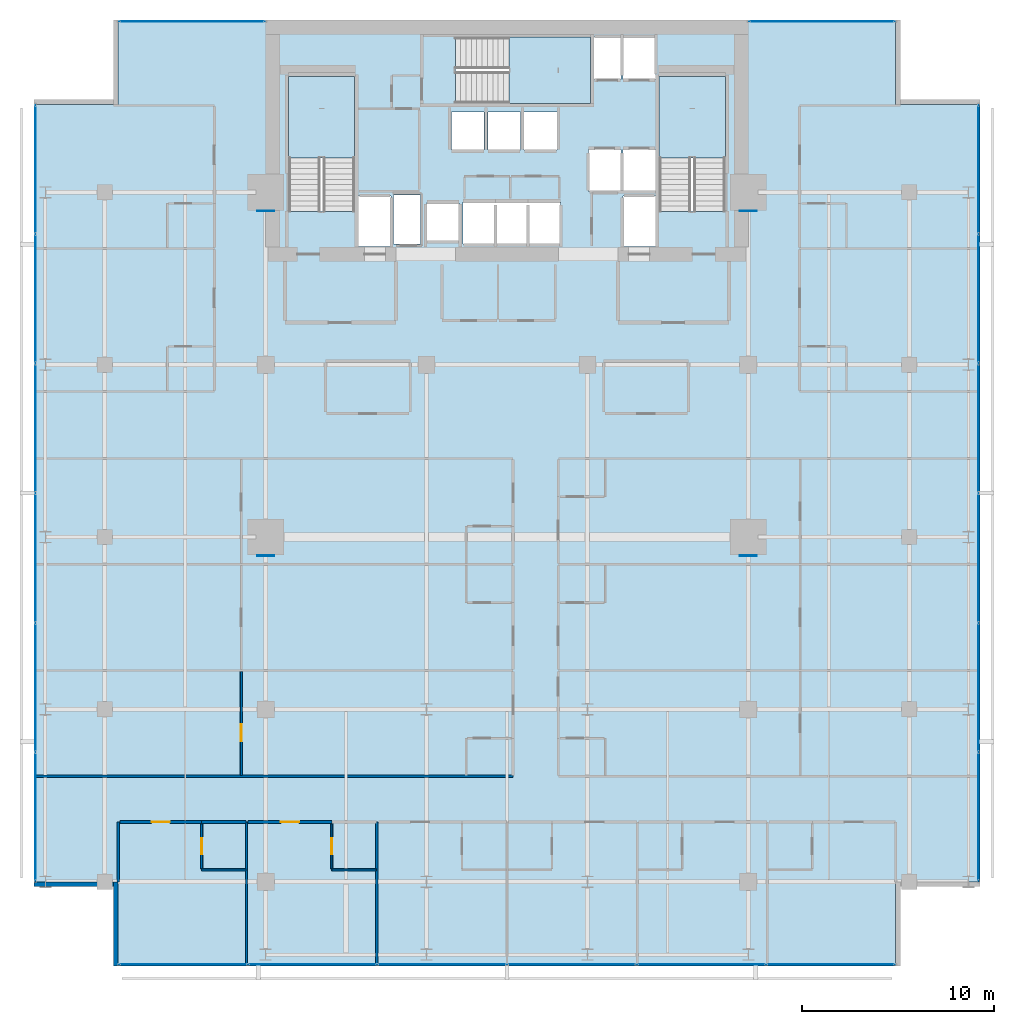
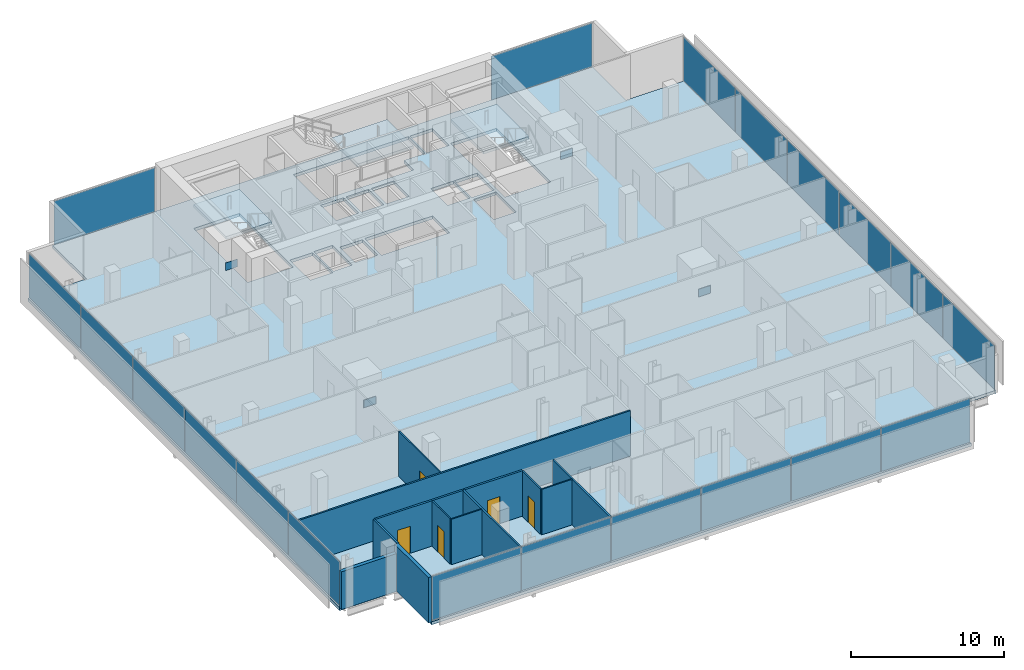
# One storey, part 26 of 33: 24 plates, 14 walls, 5 doors, 4 slabs, 5 openings, 8 elements without a shape of their own.
"""IFC4 building model written with IfcOpenShell, lengths in metres."""

import ifcopenshell
import ifcopenshell.guid

model = None  # the IFC model being written
_history = None  # IfcOwnerHistory: only IFC2X3 demands one
_inside = {}  # id of a spatial element -> (the spatial element, [elements in it])
_under = {}  # id of a project, library or spatial element -> (it, [spatial elements below it])
_declared = {}  # id of a project -> (the project, [libraries it declares])
_typed = {}  # id of a type object -> (the type object, [elements of that type])
_made_of = {}  # id of a material, layer set ... -> (it, [elements and type objects made of it])


def new_model(schema):
    """Start an empty IFC model of exactly this schema.

    Asked for "IFC4X3", IfcOpenShell would pick the latest addendum, in which some entities
    have other attributes; the version numbers below select the first issue.
    IFC2X3 requires an IfcOwnerHistory on every rooted entity: one is made here for all.
    """
    global model, _history
    if schema == "IFC4X3":
        model = ifcopenshell.file(schema_version=(4, 3, 0, 0))
    else:
        model = ifcopenshell.file(schema=schema)
    _inside.clear()
    _under.clear()
    _declared.clear()
    _typed.clear()
    _made_of.clear()
    _history = None
    if model.schema == "IFC2X3":
        org = make("IfcOrganization", Name="unknown")
        user = make(
            "IfcPersonAndOrganization",
            ThePerson=make("IfcPerson", FamilyName="unknown"),
            TheOrganization=org,
        )
        app = make(
            "IfcApplication",
            ApplicationDeveloper=org,
            Version="unknown",
            ApplicationFullName="unknown",
            ApplicationIdentifier="unknown",
        )
        _history = make(
            "IfcOwnerHistory",
            OwningUser=user,
            OwningApplication=app,
            ChangeAction="ADDED",
            CreationDate=0,
        )
    return model


def make(cls, **values):
    """One entity of the class cls with the attributes given. An attribute that is None is left unset."""
    return model.create_entity(
        cls, **{name: value for name, value in values.items() if value is not None}
    )


def rooted(cls, **values):
    """An entity with a GlobalId (a new one), such as an element, a storey or a relation."""
    return make(cls, GlobalId=ifcopenshell.guid.new(), OwnerHistory=_history, **values)


def si_unit(unit_type, name, prefix=None):
    """IfcSIUnit, for example si_unit("LENGTHUNIT", "METRE", prefix="MILLI")."""
    return make("IfcSIUnit", UnitType=unit_type, Prefix=prefix, Name=name)


def assignment(units):
    """IfcUnitAssignment: the units of a project."""
    return None if units is None else make("IfcUnitAssignment", Units=units)


def point(xyz):
    """IfcCartesianPoint."""
    return None if xyz is None else make("IfcCartesianPoint", Coordinates=xyz)


def direction(xyz):
    """IfcDirection."""
    return None if xyz is None else make("IfcDirection", DirectionRatios=xyz)


def frame(location, z_axis=None, x_axis=None):
    """IfcAxis2Placement3D, a coordinate frame: its origin and axes. An axis left out is left unset."""
    return make(
        "IfcAxis2Placement3D",
        Location=point(location),
        Axis=direction(z_axis),
        RefDirection=direction(x_axis),
    )


def frame_2d(location, x_axis=None):
    """IfcAxis2Placement2D, a coordinate frame in the plane: its origin and x axis."""
    return make(
        "IfcAxis2Placement2D", Location=point(location), RefDirection=direction(x_axis)
    )


def origin():
    """The frame at (0, 0, 0) with its axes left unset."""
    return frame((0.0, 0.0, 0.0))


def origin_2d():
    """The frame at (0, 0) in the plane with its x axis left unset."""
    return frame_2d((0.0, 0.0))


def place(relative_to, where):
    """IfcLocalPlacement: puts the frame where relative to a parent placement (None: the world)."""
    return make(
        "IfcLocalPlacement", PlacementRelTo=relative_to, RelativePlacement=where
    )


def context(
    kind, dimensions, precision=None, world=None, true_north=None, identifier=None
):
    """IfcGeometricRepresentationContext, for example the 3D "Model" context."""
    return make(
        "IfcGeometricRepresentationContext",
        ContextIdentifier=identifier,
        ContextType=kind,
        CoordinateSpaceDimension=dimensions,
        Precision=precision,
        WorldCoordinateSystem=world,
        TrueNorth=true_north,
    )


def subcontext(parent, identifier, kind, view, scale=None):
    """IfcGeometricRepresentationSubContext, for example "Body" below "Model"."""
    return make(
        "IfcGeometricRepresentationSubContext",
        ContextIdentifier=identifier,
        ContextType=kind,
        ParentContext=parent,
        TargetScale=scale,
        TargetView=view,
    )


def project(units=None, contexts=None):
    """IfcProject with its units and contexts."""
    return rooted(
        "IfcProject",
        Name="project",
        RepresentationContexts=contexts,
        UnitsInContext=assignment(units),
    )


def spatial(cls, under=None, at=None, **own):
    """A site, building, storey or space (cls), placed at a placement, below another one or the project."""
    s = rooted(cls, ObjectPlacement=at, **own)
    if under is not None:
        _under.setdefault(under.id(), (under, []))[1].append(s)
    return s


def polyline(points):
    """IfcPolyline through the points."""
    return make("IfcPolyline", Points=[point(p) for p in points])


def profile(cls, at=None, kind="AREA", **sizes):
    """A parametric profile (cls). Its sizes go by their IFC names, for example OverallWidth=200.0."""
    return make(cls, ProfileType=kind, Position=at, **sizes)


def rectangle(**sizes):
    """IfcRectangleProfileDef."""
    return profile("IfcRectangleProfileDef", **sizes)


def outline(outer, holes=None, kind="AREA"):
    """IfcArbitraryClosedProfileDef: a profile drawn as a closed curve; with holes, ...WithVoids."""
    if holes is None:
        return make("IfcArbitraryClosedProfileDef", ProfileType=kind, OuterCurve=outer)
    return make(
        "IfcArbitraryProfileDefWithVoids",
        ProfileType=kind,
        OuterCurve=outer,
        InnerCurves=holes,
    )


def extrude(swept, where, along, depth):
    """IfcExtrudedAreaSolid: the profile swept, set in the frame where, extruded along a direction by depth."""
    return make(
        "IfcExtrudedAreaSolid",
        SweptArea=swept,
        Position=where,
        ExtrudedDirection=direction(along),
        Depth=depth,
    )


def shape(context_of_items, identifier, shape_type, items):
    """IfcShapeRepresentation: the items that make up one representation, for example the "Body"."""
    return make(
        "IfcShapeRepresentation",
        ContextOfItems=context_of_items,
        RepresentationIdentifier=identifier,
        RepresentationType=shape_type,
        Items=items,
    )


def material(Name=None, Category=None):
    """IfcMaterial."""
    return make("IfcMaterial", Name=Name, Category=Category)


def layer(
    of_material, thickness, ventilated=None, Name=None, Category=None, Priority=None
):
    """IfcMaterialLayer: one layer of a wall or slab, of a material (None: an air gap)."""
    return make(
        "IfcMaterialLayer",
        Material=of_material,
        LayerThickness=thickness,
        IsVentilated=ventilated,
        Name=Name,
        Category=Category,
        Priority=Priority,
    )


def layer_set(layers, Name=None):
    """IfcMaterialLayerSet."""
    return make("IfcMaterialLayerSet", MaterialLayers=layers, LayerSetName=Name)


def made_of(thing, what):
    """Note that an element or type object is made of a material, layer set ...; save() writes the relation."""
    if what is not None:
        _made_of.setdefault(what.id(), (what, []))[1].append(thing)
    return thing


def type_object(cls, material=None, **own):
    """A type object (cls), such as IfcWallType, which elements share."""
    return made_of(rooted(cls, **own), material)


def element(
    cls,
    number,
    at=None,
    inside=None,
    cuts=None,
    type_object=None,
    material=None,
    context=None,
    identifier="Body",
    shape_type=None,
    held_by="IfcProductDefinitionShape",
    body=None,
    shapes=None,
    **own,
):
    """One element of the class cls, such as IfcWall. Its Tag is "e" and its number.

    at: its placement. inside: the storey or other place that contains it. cuts: it is an
    opening in that element (IfcRelVoidsElement). A single representation is given by context,
    identifier, shape_type and body (its items); several are given by shapes. held_by: the class
    of the entity that holds the representations. save() writes the other relations.
    """
    e = rooted(cls, Tag="e%d" % number, ObjectPlacement=at, **own)
    if body is not None:
        shapes = [shape(context, identifier, shape_type, body)]
    if shapes is not None:
        e.Representation = make(held_by, Representations=shapes)
    if inside is not None:
        _inside.setdefault(inside.id(), (inside, []))[1].append(e)
    if cuts is not None:
        rooted(
            "IfcRelVoidsElement", RelatingBuildingElement=cuts, RelatedOpeningElement=e
        )
    if type_object is not None:
        _typed.setdefault(type_object.id(), (type_object, []))[1].append(e)
    return made_of(e, material)


def fill(opening, filler):
    """IfcRelFillsElement: the door or window that sits in an opening."""
    return rooted(
        "IfcRelFillsElement",
        RelatingOpeningElement=opening,
        RelatedBuildingElement=filler,
    )


def aggregate(whole, parts):
    """IfcRelAggregates: a whole, such as a stair, and the parts it consists of."""
    return rooted("IfcRelAggregates", RelatingObject=whole, RelatedObjects=parts)


def save(model, path):
    """Write the relations noted so far, then the file.

    IfcRelAggregates (storeys below a building ...), IfcRelContainedInSpatialStructure (elements
    in a storey), IfcRelDefinesByType, IfcRelAssociatesMaterial and IfcRelDeclares: one each for
    every whole, place, type object, material and project.
    """
    for whole, parts in _under.values():
        aggregate(whole, parts)
    for where, things in _inside.values():
        rooted(
            "IfcRelContainedInSpatialStructure",
            RelatedElements=things,
            RelatingStructure=where,
        )
    for kind, things in _typed.values():
        rooted("IfcRelDefinesByType", RelatedObjects=things, RelatingType=kind)
    for what, things in _made_of.values():
        rooted("IfcRelAssociatesMaterial", RelatedObjects=things, RelatingMaterial=what)
    for by, libraries in _declared.values():
        rooted("IfcRelDeclares", RelatingContext=by, RelatedDefinitions=libraries)
    model.write(path)


model = new_model("IFC4")

# Units and contexts
model_context = context("Model", 3, precision=1e-05, world=origin(), true_north=direction((0.0, 1.0)))
body_context = subcontext(model_context, "Body", "Model", "MODEL_VIEW")
ifc_project = project(units=[si_unit("LENGTHUNIT", "METRE"), si_unit("AREAUNIT", "SQUARE_METRE"), si_unit("VOLUMEUNIT", "CUBIC_METRE"), si_unit("PLANEANGLEUNIT", "RADIAN"), si_unit("MASSUNIT", "GRAM", prefix="KILO")], contexts=[model_context])

# Site, building, storey
site_placement = place(None, origin())
site = spatial("IfcSite", under=ifc_project, at=site_placement, CompositionType="ELEMENT")
building_placement = place(site_placement, origin())
building = spatial("IfcBuilding", under=site, at=building_placement, Name="Maruvema Waterfront Hotel and Observation Tower", CompositionType="ELEMENT")
storey_placement = place(building_placement, frame((0.0, 0.0, 158.199951171875)))
storey = spatial("IfcBuildingStorey", under=building, at=storey_placement, Name="L38", CompositionType="ELEMENT", Elevation=158.199951171875)

# Slab
ifc_material_1 = material(Name="Concrete C50/60", Category="concrete")
ifc_layer_1 = layer(ifc_material_1, 0.239990234375, Name="Reinforced Concrete Floor Slab 240 mm")
ifc_layer_set_1 = layer_set([ifc_layer_1], Name="Concrete C50/60")
slab_type_1 = type_object("IfcSlabType", Name="Reinforced Concrete Floor Slab 240 mm", PredefinedType="FLOOR", material=ifc_layer_set_1)
slab_1_placement = place(storey_placement, frame((0.0, 0.0, -0.239990234375)))
element("IfcSlab", 1, at=slab_1_placement, inside=storey, type_object=slab_type_1, Name="L38 Structural Floor Slab", PredefinedType="FLOOR", context=body_context, shape_type="SweptSolid", body=[
    extrude(outline(polyline([(17.5, 4.60009765625), (58.10009765625, 4.60009765625), (58.10009765625, 9.0), (62.5, 9.0), (62.5, 49.60009765625), (58.10009765625, 49.60009765625), (58.10009765625, 54.0), (17.5, 54.0), (17.5, 49.60009765625), (13.10009765625, 49.60009765625), (13.10009765625, 9.0), (17.5, 9.0), (17.5, 4.60009765625)]), holes=[polyline([(26.39990234375, 44.00048828125), (26.39990234375, 51.050048828125), (29.85009765625, 51.050048828125), (29.85009765625, 44.00048828125), (26.39990234375, 44.00048828125)]), polyline([(30.050048828125, 44.800048828125), (31.75, 44.800048828125), (31.75, 42.169921875), (30.050048828125, 42.169921875), (30.050048828125, 44.800048828125)]), polyline([(31.8798828125, 44.860107421875), (33.280029296875, 44.860107421875), (33.280029296875, 42.2900390625), (31.8798828125, 42.2900390625), (31.8798828125, 44.860107421875)]), polyline([(33.60009765625, 44.449951171875), (35.300048828125, 44.449951171875), (35.300048828125, 42.449951171875), (33.60009765625, 42.449951171875), (33.60009765625, 44.449951171875)]), polyline([(34.89990234375, 49.199951171875), (36.60009765625, 49.199951171875), (36.60009765625, 47.199951171875), (34.89990234375, 47.199951171875), (34.89990234375, 49.199951171875)]), polyline([(36.800048828125, 49.199951171875), (38.5, 49.199951171875), (38.5, 47.199951171875), (36.800048828125, 47.199951171875), (36.800048828125, 49.199951171875)]), polyline([(35.5, 42.300048828125), (35.5, 44.5), (40.60009765625, 44.5), (40.60009765625, 42.300048828125), (35.5, 42.300048828125)]), polyline([(35.1005859375, 53.10009765625), (43.75, 53.10009765625), (43.75, 50.89990234375), (42.14990234375, 50.89990234375), (42.14990234375, 49.64990234375), (35.1005859375, 49.64990234375), (35.1005859375, 53.10009765625)]), polyline([(38.699951171875, 49.199951171875), (40.39990234375, 49.199951171875), (40.39990234375, 47.199951171875), (38.699951171875, 47.199951171875), (38.699951171875, 49.199951171875)]), polyline([(42.050048828125, 47.25), (43.75, 47.25), (43.75, 45.050048828125), (42.050048828125, 45.050048828125), (42.050048828125, 47.25)]), polyline([(43.85009765625, 44.800048828125), (45.550048828125, 44.800048828125), (45.550048828125, 42.169921875), (43.85009765625, 42.169921875), (43.85009765625, 44.800048828125)]), polyline([(43.85009765625, 47.25), (45.550048828125, 47.25), (45.550048828125, 45.050048828125), (43.85009765625, 45.050048828125), (43.85009765625, 47.25)]), polyline([(45.550048828125, 53.10009765625), (45.550048828125, 50.89990234375), (43.85009765625, 50.89990234375), (43.85009765625, 53.10009765625), (45.550048828125, 53.10009765625)]), polyline([(45.75, 44.00048828125), (45.75, 51.050048828125), (49.199951171875, 51.050048828125), (49.199951171875, 44.00048828125), (45.75, 44.00048828125)])]), origin(), (0.0, 0.0, 1.0), 0.239990234375),
])

# Curtain wall, plates
ifc_material_2 = material(Name="Anodised bronze aluminium and solar-control low-E IGU", Category="aluminium")
ifc_layer_2 = layer(ifc_material_2, 0.159912109375, Name="Zone 2 Amber Inner Thermal Curtain Wall System CW-03")
ifc_layer_set_2 = layer_set([ifc_layer_2], Name="Anodised bronze aluminium and solar-control low-E IGU")
curtain_wall_type = type_object("IfcCurtainWallType", Name="Zone 2 Amber Inner Thermal Curtain Wall System CW-03", PredefinedType="USERDEFINED", material=ifc_layer_set_2)
curtain_wall_1_placement = place(storey_placement, origin())
curtain_wall_1 = element("IfcCurtainWall", 2, at=curtain_wall_1_placement, inside=storey, type_object=curtain_wall_type, Name="L38 Curtain Wall CW-L38-S", ObjectType="UNITISED CURTAIN WALL", PredefinedType="USERDEFINED")
ifc_material_3 = material(Name="Laminated low-E solar-control double glazing", Category="glass")
ifc_layer_3 = layer(ifc_material_3, 0.035888671875, Name="Solar Control Double-Glazed Curtain Panel 36 mm")
ifc_layer_set_3 = layer_set([ifc_layer_3], Name="Laminated low-E solar-control double glazing")
plate_type_1 = type_object("IfcPlateType", Name="Solar Control Double-Glazed Curtain Panel 36 mm", PredefinedType="CURTAIN_PANEL", material=ifc_layer_set_3)
plate_1_placement = place(storey_placement, frame((20.8984375, 4.679931640625, 0.06005859375), z_axis=(0.0, 0.0, 1.0), x_axis=(1.0, 0.0, 0.0)))
plate_1 = element("IfcPlate", 3, at=plate_1_placement, type_object=plate_type_1, Name="CW-03 panel 1.1", PredefinedType="CURTAIN_PANEL", context=body_context, shape_type="SweptSolid", body=[
    extrude(rectangle(XDim=6.6767578125, YDim=0.028076171875, at=origin_2d()), origin(), (0.0, 0.0, 1.0), 3.489990234375),
])
plate_2_placement = place(storey_placement, frame((27.64990234375, 4.679931640625, 0.06005859375), z_axis=(0.0, 0.0, 1.0), x_axis=(1.0, 0.0, 0.0)))
plate_2 = element("IfcPlate", 4, at=plate_2_placement, type_object=plate_type_1, Name="CW-03 panel 2.1", PredefinedType="CURTAIN_PANEL", context=body_context, shape_type="SweptSolid", body=[
    extrude(rectangle(XDim=6.706787109375, YDim=0.028076171875, at=origin_2d()), origin(), (0.0, 0.0, 1.0), 3.489990234375),
])
plate_3_placement = place(storey_placement, frame((34.416748046875, 4.679931640625, 0.06005859375), z_axis=(0.0, 0.0, 1.0), x_axis=(1.0, 0.0, 0.0)))
plate_3 = element("IfcPlate", 5, at=plate_3_placement, type_object=plate_type_1, Name="CW-03 panel 3.1", PredefinedType="CURTAIN_PANEL", context=body_context, shape_type="SweptSolid", body=[
    extrude(rectangle(XDim=6.706787109375, YDim=0.028076171875, at=origin_2d()), origin(), (0.0, 0.0, 1.0), 3.489990234375),
])
plate_4_placement = place(storey_placement, frame((41.183349609375, 4.679931640625, 0.06005859375), z_axis=(0.0, 0.0, 1.0), x_axis=(1.0, 0.0, 0.0)))
plate_4 = element("IfcPlate", 6, at=plate_4_placement, type_object=plate_type_1, Name="CW-03 panel 4.1", PredefinedType="CURTAIN_PANEL", context=body_context, shape_type="SweptSolid", body=[
    extrude(rectangle(XDim=6.706787109375, YDim=0.028076171875, at=origin_2d()), origin(), (0.0, 0.0, 1.0), 3.489990234375),
])
plate_5_placement = place(storey_placement, frame((47.949951171875, 4.679931640625, 0.06005859375), z_axis=(0.0, 0.0, 1.0), x_axis=(1.0, 0.0, 0.0)))
plate_5 = element("IfcPlate", 7, at=plate_5_placement, type_object=plate_type_1, Name="CW-03 panel 5.1", PredefinedType="CURTAIN_PANEL", context=body_context, shape_type="SweptSolid", body=[
    extrude(rectangle(XDim=6.706787109375, YDim=0.028076171875, at=origin_2d()), origin(), (0.0, 0.0, 1.0), 3.489990234375),
])
plate_6_placement = place(storey_placement, frame((54.70166015625, 4.679931640625, 0.06005859375), z_axis=(0.0, 0.0, 1.0), x_axis=(1.0, 0.0, 0.0)))
plate_6 = element("IfcPlate", 8, at=plate_6_placement, type_object=plate_type_1, Name="CW-03 panel 6.1", PredefinedType="CURTAIN_PANEL", context=body_context, shape_type="SweptSolid", body=[
    extrude(rectangle(XDim=6.6767578125, YDim=0.028076171875, at=origin_2d()), origin(), (0.0, 0.0, 1.0), 3.489990234375),
])
aggregate(curtain_wall_1, [plate_1, plate_2, plate_3, plate_4, plate_5, plate_6])

curtain_wall_2_placement = place(storey_placement, origin())
curtain_wall_2 = element("IfcCurtainWall", 9, at=curtain_wall_2_placement, inside=storey, type_object=curtain_wall_type, Name="L38 Curtain Wall CW-L38-E", ObjectType="UNITISED CURTAIN WALL", PredefinedType="USERDEFINED")
plate_7_placement = place(storey_placement, frame((62.419921875, 12.3984375, 0.06005859375), z_axis=(0.0, 0.0, 1.0), x_axis=(0.0, 1.0, 0.0)))
plate_7 = element("IfcPlate", 10, at=plate_7_placement, type_object=plate_type_1, Name="CW-03 panel 1.1", PredefinedType="CURTAIN_PANEL", context=body_context, shape_type="SweptSolid", body=[
    extrude(rectangle(XDim=6.6767578125, YDim=0.028076171875, at=origin_2d()), origin(), (0.0, 0.0, 1.0), 3.489990234375),
])
plate_8_placement = place(storey_placement, frame((62.419921875, 19.14990234375, 0.06005859375), z_axis=(0.0, 0.0, 1.0), x_axis=(0.0, 1.0, 0.0)))
plate_8 = element("IfcPlate", 11, at=plate_8_placement, type_object=plate_type_1, Name="CW-03 panel 2.1", PredefinedType="CURTAIN_PANEL", context=body_context, shape_type="SweptSolid", body=[
    extrude(rectangle(XDim=6.706787109375, YDim=0.028076171875, at=origin_2d()), origin(), (0.0, 0.0, 1.0), 3.489990234375),
])
plate_9_placement = place(storey_placement, frame((62.419921875, 25.916748046875, 0.06005859375), z_axis=(0.0, 0.0, 1.0), x_axis=(0.0, 1.0, 0.0)))
plate_9 = element("IfcPlate", 12, at=plate_9_placement, type_object=plate_type_1, Name="CW-03 panel 3.1", PredefinedType="CURTAIN_PANEL", context=body_context, shape_type="SweptSolid", body=[
    extrude(rectangle(XDim=6.706787109375, YDim=0.028076171875, at=origin_2d()), origin(), (0.0, 0.0, 1.0), 3.489990234375),
])
plate_10_placement = place(storey_placement, frame((62.419921875, 32.683349609375, 0.06005859375), z_axis=(0.0, 0.0, 1.0), x_axis=(0.0, 1.0, 0.0)))
plate_10 = element("IfcPlate", 13, at=plate_10_placement, type_object=plate_type_1, Name="CW-03 panel 4.1", PredefinedType="CURTAIN_PANEL", context=body_context, shape_type="SweptSolid", body=[
    extrude(rectangle(XDim=6.706787109375, YDim=0.028076171875, at=origin_2d()), origin(), (0.0, 0.0, 1.0), 3.489990234375),
])
plate_11_placement = place(storey_placement, frame((62.419921875, 39.449951171875, 0.06005859375), z_axis=(0.0, 0.0, 1.0), x_axis=(0.0, 1.0, 0.0)))
plate_11 = element("IfcPlate", 14, at=plate_11_placement, type_object=plate_type_1, Name="CW-03 panel 5.1", PredefinedType="CURTAIN_PANEL", context=body_context, shape_type="SweptSolid", body=[
    extrude(rectangle(XDim=6.706787109375, YDim=0.028076171875, at=origin_2d()), origin(), (0.0, 0.0, 1.0), 3.489990234375),
])
plate_12_placement = place(storey_placement, frame((62.419921875, 46.20166015625, 0.06005859375), z_axis=(0.0, 0.0, 1.0), x_axis=(0.0, 1.0, 0.0)))
plate_12 = element("IfcPlate", 15, at=plate_12_placement, type_object=plate_type_1, Name="CW-03 panel 6.1", PredefinedType="CURTAIN_PANEL", context=body_context, shape_type="SweptSolid", body=[
    extrude(rectangle(XDim=6.6767578125, YDim=0.028076171875, at=origin_2d()), origin(), (0.0, 0.0, 1.0), 3.489990234375),
])
aggregate(curtain_wall_2, [plate_7, plate_8, plate_9, plate_10, plate_11, plate_12])

curtain_wall_3_placement = place(storey_placement, origin())
curtain_wall_3 = element("IfcCurtainWall", 16, at=curtain_wall_3_placement, inside=storey, type_object=curtain_wall_type, Name="L38 Curtain Wall CW-L38-W", ObjectType="UNITISED CURTAIN WALL", PredefinedType="USERDEFINED")
plate_13_placement = place(storey_placement, frame((13.179931640625, 46.20166015625, 0.06005859375), z_axis=(0.0, 0.0, 1.0), x_axis=(0.0, -1.0, 0.0)))
plate_13 = element("IfcPlate", 17, at=plate_13_placement, type_object=plate_type_1, Name="CW-03 panel 1.1", PredefinedType="CURTAIN_PANEL", context=body_context, shape_type="SweptSolid", body=[
    extrude(rectangle(XDim=6.6767578125, YDim=0.028076171875, at=origin_2d()), origin(), (0.0, 0.0, 1.0), 3.489990234375),
])
plate_14_placement = place(storey_placement, frame((13.179931640625, 39.449951171875, 0.06005859375), z_axis=(0.0, 0.0, 1.0), x_axis=(0.0, -1.0, 0.0)))
plate_14 = element("IfcPlate", 18, at=plate_14_placement, type_object=plate_type_1, Name="CW-03 panel 2.1", PredefinedType="CURTAIN_PANEL", context=body_context, shape_type="SweptSolid", body=[
    extrude(rectangle(XDim=6.706787109375, YDim=0.028076171875, at=origin_2d()), origin(), (0.0, 0.0, 1.0), 3.489990234375),
])
plate_15_placement = place(storey_placement, frame((13.179931640625, 32.683349609375, 0.06005859375), z_axis=(0.0, 0.0, 1.0), x_axis=(0.0, -1.0, 0.0)))
plate_15 = element("IfcPlate", 19, at=plate_15_placement, type_object=plate_type_1, Name="CW-03 panel 3.1", PredefinedType="CURTAIN_PANEL", context=body_context, shape_type="SweptSolid", body=[
    extrude(rectangle(XDim=6.706787109375, YDim=0.028076171875, at=origin_2d()), origin(), (0.0, 0.0, 1.0), 3.489990234375),
])
plate_16_placement = place(storey_placement, frame((13.179931640625, 25.916748046875, 0.06005859375), z_axis=(0.0, 0.0, 1.0), x_axis=(0.0, -1.0, 0.0)))
plate_16 = element("IfcPlate", 20, at=plate_16_placement, type_object=plate_type_1, Name="CW-03 panel 4.1", PredefinedType="CURTAIN_PANEL", context=body_context, shape_type="SweptSolid", body=[
    extrude(rectangle(XDim=6.706787109375, YDim=0.028076171875, at=origin_2d()), origin(), (0.0, 0.0, 1.0), 3.489990234375),
])
plate_17_placement = place(storey_placement, frame((13.179931640625, 19.14990234375, 0.06005859375), z_axis=(0.0, 0.0, 1.0), x_axis=(0.0, -1.0, 0.0)))
plate_17 = element("IfcPlate", 21, at=plate_17_placement, type_object=plate_type_1, Name="CW-03 panel 5.1", PredefinedType="CURTAIN_PANEL", context=body_context, shape_type="SweptSolid", body=[
    extrude(rectangle(XDim=6.706787109375, YDim=0.028076171875, at=origin_2d()), origin(), (0.0, 0.0, 1.0), 3.489990234375),
])
plate_18_placement = place(storey_placement, frame((13.179931640625, 12.3984375, 0.06005859375), z_axis=(0.0, 0.0, 1.0), x_axis=(0.0, -1.0, 0.0)))
plate_18 = element("IfcPlate", 22, at=plate_18_placement, type_object=plate_type_1, Name="CW-03 panel 6.1", PredefinedType="CURTAIN_PANEL", context=body_context, shape_type="SweptSolid", body=[
    extrude(rectangle(XDim=6.6767578125, YDim=0.028076171875, at=origin_2d()), origin(), (0.0, 0.0, 1.0), 3.489990234375),
])
aggregate(curtain_wall_3, [plate_13, plate_14, plate_15, plate_16, plate_17, plate_18])

# Curtain wall, plate
curtain_wall_4_placement = place(storey_placement, origin())
curtain_wall_4 = element("IfcCurtainWall", 23, at=curtain_wall_4_placement, inside=storey, type_object=curtain_wall_type, Name="L38 Curtain Wall CW-L38-NW", ObjectType="UNITISED CURTAIN WALL", PredefinedType="USERDEFINED")
plate_19_placement = place(storey_placement, frame((21.35009765625, 53.919921875, 0.06005859375), z_axis=(0.0, 0.0, 1.0), x_axis=(-1.0, 0.0, 0.0)))
plate_19 = element("IfcPlate", 24, at=plate_19_placement, type_object=plate_type_1, Name="CW-03 panel 1.1", PredefinedType="CURTAIN_PANEL", context=body_context, shape_type="SweptSolid", body=[
    extrude(rectangle(XDim=7.580078125, YDim=0.028076171875, at=origin_2d()), origin(), (0.0, 0.0, 1.0), 3.489990234375),
])
aggregate(curtain_wall_4, [plate_19])

curtain_wall_5_placement = place(storey_placement, origin())
curtain_wall_5 = element("IfcCurtainWall", 25, at=curtain_wall_5_placement, inside=storey, type_object=curtain_wall_type, Name="L38 Curtain Wall CW-L38-NE", ObjectType="UNITISED CURTAIN WALL", PredefinedType="USERDEFINED")
plate_20_placement = place(storey_placement, frame((54.25, 53.919921875, 0.06005859375), z_axis=(0.0, 0.0, 1.0), x_axis=(-1.0, 0.0, 0.0)))
plate_20 = element("IfcPlate", 26, at=plate_20_placement, type_object=plate_type_1, Name="CW-03 panel 1.1", PredefinedType="CURTAIN_PANEL", context=body_context, shape_type="SweptSolid", body=[
    extrude(rectangle(XDim=7.580078125, YDim=0.028076171875, at=origin_2d()), origin(), (0.0, 0.0, 1.0), 3.489990234375),
])
aggregate(curtain_wall_5, [plate_20])

# Stair, slab
ifc_material_4 = material(Name="Concrete C50/60", Category="concrete")
stair_type = type_object("IfcStairType", Name="Dogleg Exit Stair 1650 mm (22R x 175.0 mm)", PredefinedType="HALF_TURN_STAIR", material=ifc_material_4)
stair_1_placement = place(storey_placement, origin())
stair_1 = element("IfcStair", 27, at=stair_1_placement, inside=storey, type_object=stair_type, Name="L38 ST-01", PredefinedType="HALF_TURN_STAIR")
ifc_material_5 = material(Name="Concrete C50/60", Category="concrete")
ifc_layer_4 = layer(ifc_material_5, 0.219970703125, Name="Stair Concrete Landing Slab 220 mm")
ifc_layer_set_4 = layer_set([ifc_layer_4], Name="Concrete C50/60")
slab_type_2 = type_object("IfcSlabType", Name="Stair Concrete Landing Slab 220 mm", PredefinedType="LANDING", material=ifc_layer_set_4)
slab_2_placement = place(storey_placement, frame((0.0, 0.0, 1.705078125)))
slab_2 = element("IfcSlab", 28, at=slab_2_placement, type_object=slab_type_2, Name="ST-01 landing 1", PredefinedType="LANDING", context=body_context, shape_type="SweptSolid", body=[
    extrude(outline(polyline([(29.85009765625, 46.800048828125), (29.85009765625, 51.050048828125), (26.39990234375, 51.050048828125), (26.39990234375, 46.800048828125), (29.85009765625, 46.800048828125)])), origin(), (0.0, 0.0, 1.0), 0.219970703125),
])
aggregate(stair_1, [slab_2])

stair_2_placement = place(storey_placement, origin())
stair_2 = element("IfcStair", 29, at=stair_2_placement, inside=storey, type_object=stair_type, Name="L38 ST-02", PredefinedType="HALF_TURN_STAIR")
slab_3_placement = place(storey_placement, frame((0.0, 0.0, 1.705078125)))
slab_3 = element("IfcSlab", 30, at=slab_3_placement, type_object=slab_type_2, Name="ST-02 landing 1", PredefinedType="LANDING", context=body_context, shape_type="SweptSolid", body=[
    extrude(outline(polyline([(37.89990234375, 49.64990234375), (42.14990234375, 49.64990234375), (42.14990234375, 53.10009765625), (37.89990234375, 53.10009765625), (37.89990234375, 49.64990234375)])), origin(), (0.0, 0.0, 1.0), 0.219970703125),
])
aggregate(stair_2, [slab_3])

stair_3_placement = place(storey_placement, origin())
stair_3 = element("IfcStair", 31, at=stair_3_placement, inside=storey, type_object=stair_type, Name="L38 ST-03", PredefinedType="HALF_TURN_STAIR")
slab_4_placement = place(storey_placement, frame((0.0, 0.0, 1.705078125)))
slab_4 = element("IfcSlab", 32, at=slab_4_placement, type_object=slab_type_2, Name="ST-03 landing 1", PredefinedType="LANDING", context=body_context, shape_type="SweptSolid", body=[
    extrude(outline(polyline([(49.199951171875, 46.800048828125), (49.199951171875, 51.050048828125), (45.75, 51.050048828125), (45.75, 46.800048828125), (49.199951171875, 46.800048828125)])), origin(), (0.0, 0.0, 1.0), 0.219970703125),
])
aggregate(stair_3, [slab_4])

# Plates
ifc_material_6 = material(Name="Steel ABNT NBR 7007 AR 415 (ASTM A572 Grade 50)", Category="steel")
ifc_layer_5 = layer(ifc_material_6, 0.0400390625, Name="Structural Truss Node Gusset Plate 40 mm")
ifc_layer_set_5 = layer_set([ifc_layer_5], Name="Steel ABNT NBR 7007 AR 415 (ASTM A572 Grade 50)")
plate_type_2 = type_object("IfcPlateType", Name="Structural Truss Node Gusset Plate 40 mm", PredefinedType="USERDEFINED", material=ifc_layer_set_5)
for number, where, z_axis, x_axis, name in (
    (33, (25.199951171875, 26.030029296875, 1.5), (0.0, 0.0, 1.0), (1.0, 0.0, 0.0), "L38 MC-01 Moment Frame Continuity Gusset Plate"),
    (34, (50.39990234375, 26.030029296875, 1.5), (0.0, 0.0, 1.0), (1.0, 0.0, 0.0), "L38 MC-02 Moment Frame Continuity Gusset Plate"),
    (35, (25.199951171875, 44.030029296875, 1.5), (0.0, 0.0, 1.0), (1.0, 0.0, 0.0), "L38 MC-03 Moment Frame Continuity Gusset Plate"),
    (36, (50.39990234375, 44.030029296875, 1.5), (0.0, 0.0, 1.0), (1.0, 0.0, 0.0), "L38 MC-04 Moment Frame Continuity Gusset Plate"),
):
    element("IfcPlate", number, at=place(storey_placement, frame(where, z_axis=z_axis, x_axis=x_axis)), inside=storey, type_object=plate_type_2, Name=name, ObjectType="GUSSET_PLATE", PredefinedType="USERDEFINED", context=body_context, shape_type="SweptSolid", body=[
        extrude(rectangle(XDim=0.89990234375, YDim=0.0400390625, at=origin_2d()), origin(), (0.0, 0.0, 1.0), 0.60009765625),
    ])

# Wall
ifc_material_7 = material(Name="Twin-stud acoustic gypsum drywall", Category="gypsum")
ifc_layer_6 = layer(ifc_material_7, 0.14990234375, Name="Acoustic Corridor and Suite Demising Wall 150 mm")
ifc_layer_set_6 = layer_set([ifc_layer_6], Name="Twin-stud acoustic gypsum drywall")
wall_type_1 = type_object("IfcWallType", Name="Acoustic Corridor and Suite Demising Wall 150 mm", PredefinedType="PARTITIONING", material=ifc_layer_set_6)
wall_1_placement = place(storey_placement, frame((21.85009765625, 12.1201171875, 0.0), z_axis=(0.0, 0.0, 1.0), x_axis=(1.0, 0.0, 0.0)))
element("IfcWall", 37, at=wall_1_placement, inside=storey, type_object=wall_type_1, Name="L38 Bath L38-S1 Back Wall 037", PredefinedType="PARTITIONING", context=body_context, shape_type="SweptSolid", body=[
    extrude(rectangle(XDim=2.329833984375, YDim=0.14990234375, at=frame_2d((1.1650390625, 0.0))), origin(), (0.0, 0.0, 1.0), 3.610107421875),
])

# Wall, opening, door
wall_2_placement = place(storey_placement, frame((17.580078125, 12.1201171875, 0.0), z_axis=(0.0, 0.0, 1.0), x_axis=(1.0, 0.0, 0.0)))
wall_2 = element("IfcWall", 38, at=wall_2_placement, inside=storey, type_object=wall_type_1, Name="L38 Unit L38-S1 Corridor Wall 040", PredefinedType="PARTITIONING", context=body_context, shape_type="SweptSolid", body=[
    extrude(rectangle(XDim=4.27001953125, YDim=0.14990234375, at=frame_2d((2.135009765625, 0.0))), origin(), (0.0, 0.0, 1.0), 3.610107421875),
])
opening_1_placement = place(wall_2_placement, frame((1.659912109375, 0.0, 0.0)))
opening_1 = element("IfcOpeningElement", 39, at=opening_1_placement, cuts=wall_2, Name="Opening DR-095", PredefinedType="OPENING", context=body_context, shape_type="SweptSolid", body=[
    extrude(rectangle(XDim=0.949951171875, YDim=2.14990234375, at=frame_2d((0.47509765625, 1.074951171875))), frame((0.0, 0.0849609375, 0.0), z_axis=(0.0, -1.0, 0.0), x_axis=(1.0, 0.0, 0.0)), (0.0, 0.0, 1.0), 0.169921875),
])
ifc_material_8 = material(Name="Acoustic solid-core hardwood timber leaf", Category="wood")
door_type_1 = type_object("IfcDoorType", Name="Guestroom Entrance Fire Door 950x2150 mm", OperationType="NOTDEFINED", PredefinedType="DOOR", material=ifc_material_8)
door_1_placement = place(opening_1_placement, frame((0.949951171875, 0.0, 0.0), z_axis=(0.0, 0.0, 1.0), x_axis=(-1.0, 0.0, 0.0)))
door_1 = element("IfcDoor", 40, at=door_1_placement, inside=storey, type_object=door_type_1, Name="L38 Unit L38-S1 Entrance Door", OperationType="SINGLE_SWING_RIGHT", OverallHeight=2.14990234375, OverallWidth=0.949951171875, PredefinedType="DOOR", context=body_context, shape_type="SweptSolid", body=[
    extrude(rectangle(XDim=0.949951171875, YDim=2.14990234375, at=frame_2d((0.47509765625, 1.074951171875))), frame((0.0, 0.02490234375, 0.0), z_axis=(0.0, -1.0, 0.0), x_axis=(1.0, 0.0, 0.0)), (0.0, 0.0, 1.0), 0.050048828125),
])
fill(opening_1, door_1)

wall_3_placement = place(storey_placement, frame((24.280029296875, 12.1201171875, 0.0), z_axis=(0.0, 0.0, 1.0), x_axis=(1.0, 0.0, 0.0)))
wall_3 = element("IfcWall", 41, at=wall_3_placement, inside=storey, type_object=wall_type_1, Name="L38 Unit L38-S2 Corridor Wall 045", PredefinedType="PARTITIONING", context=body_context, shape_type="SweptSolid", body=[
    extrude(rectangle(XDim=4.369873046875, YDim=0.14990234375, at=frame_2d((2.18505859375, 0.0))), origin(), (0.0, 0.0, 1.0), 3.610107421875),
])
opening_2_placement = place(wall_3_placement, frame((1.7099609375, 0.0, 0.0)))
opening_2 = element("IfcOpeningElement", 42, at=opening_2_placement, cuts=wall_3, Name="Opening DR-095", PredefinedType="OPENING", context=body_context, shape_type="SweptSolid", body=[
    extrude(rectangle(XDim=0.949951171875, YDim=2.14990234375, at=frame_2d((0.47509765625, 1.074951171875))), frame((0.0, 0.0849609375, 0.0), z_axis=(0.0, -1.0, 0.0), x_axis=(1.0, 0.0, 0.0)), (0.0, 0.0, 1.0), 0.169921875),
])
door_2_placement = place(opening_2_placement, frame((0.949951171875, 0.0, 0.0), z_axis=(0.0, 0.0, 1.0), x_axis=(-1.0, 0.0, 0.0)))
door_2 = element("IfcDoor", 43, at=door_2_placement, inside=storey, type_object=door_type_1, Name="L38 Unit L38-S2 Entrance Door", OperationType="SINGLE_SWING_RIGHT", OverallHeight=2.14990234375, OverallWidth=0.949951171875, PredefinedType="DOOR", context=body_context, shape_type="SweptSolid", body=[
    extrude(rectangle(XDim=0.949951171875, YDim=2.14990234375, at=frame_2d((0.47509765625, 1.074951171875))), frame((0.0, 0.02490234375, 0.0), z_axis=(0.0, -1.0, 0.0), x_axis=(1.0, 0.0, 0.0)), (0.0, 0.0, 1.0), 0.050048828125),
])
fill(opening_2, door_2)

# Wall
ifc_material_9 = material(Name="Moisture-resistant cement-board drywall", Category="gypsum")
ifc_layer_7 = layer(ifc_material_9, 0.10009765625, Name="En-Suite Moisture-Resistant Partition 100 mm")
ifc_layer_set_7 = layer_set([ifc_layer_7], Name="Moisture-resistant cement-board drywall")
wall_type_2 = type_object("IfcWallType", Name="En-Suite Moisture-Resistant Partition 100 mm", PredefinedType="PARTITIONING", material=ifc_layer_set_7)
wall_4_placement = place(storey_placement, frame((21.85009765625, 9.6201171875, 0.0), z_axis=(0.0, 0.0, 1.0), x_axis=(1.0, 0.0, 0.0)))
element("IfcWall", 44, at=wall_4_placement, inside=storey, type_object=wall_type_2, Name="L38 En-Suite L38-S1 South 038", PredefinedType="PARTITIONING", context=body_context, shape_type="SweptSolid", body=[
    extrude(rectangle(XDim=2.309814453125, YDim=0.10009765625, at=frame_2d((1.15478515625, 0.0))), origin(), (0.0, 0.0, 1.0), 3.610107421875),
])

# Wall, opening, door
wall_5_placement = place(storey_placement, frame((21.85009765625, 9.679931640625, 0.0), z_axis=(0.0, 0.0, 1.0), x_axis=(0.0, 1.0, 0.0)))
wall_5 = element("IfcWall", 45, at=wall_5_placement, inside=storey, type_object=wall_type_2, Name="L38 En-Suite L38-S1 West 039", PredefinedType="PARTITIONING", context=body_context, shape_type="SweptSolid", body=[
    extrude(rectangle(XDim=2.340087890625, YDim=0.10009765625, at=frame_2d((1.169921875, 0.0))), origin(), (0.0, 0.0, 1.0), 3.610107421875),
])
opening_3_placement = place(wall_5_placement, frame((0.7451171875, 0.0, 0.0)))
opening_3 = element("IfcOpeningElement", 46, at=opening_3_placement, cuts=wall_5, Name="Opening DR-085", PredefinedType="OPENING", context=body_context, shape_type="SweptSolid", body=[
    extrude(rectangle(XDim=0.85009765625, YDim=2.10009765625, at=frame_2d((0.425048828125, 1.050048828125))), frame((0.0, 0.06005859375, 0.0), z_axis=(0.0, -1.0, 0.0), x_axis=(1.0, 0.0, 0.0)), (0.0, 0.0, 1.0), 0.1201171875),
])
ifc_material_10 = material(Name="Moisture-resistant solid timber leaf", Category="wood")
door_type_2 = type_object("IfcDoorType", Name="En-Suite Bathroom Door 850x2100 mm", OperationType="NOTDEFINED", PredefinedType="DOOR", material=ifc_material_10)
door_3_placement = place(opening_3_placement, origin())
door_3 = element("IfcDoor", 47, at=door_3_placement, inside=storey, type_object=door_type_2, Name="L38 En-Suite L38-S1 Door", OperationType="SINGLE_SWING_LEFT", OverallHeight=2.10009765625, OverallWidth=0.85009765625, PredefinedType="DOOR", context=body_context, shape_type="SweptSolid", body=[
    extrude(rectangle(XDim=0.85009765625, YDim=2.10009765625, at=frame_2d((0.425048828125, 1.050048828125))), frame((0.0, 0.02490234375, 0.0), z_axis=(0.0, -1.0, 0.0), x_axis=(1.0, 0.0, 0.0)), (0.0, 0.0, 1.0), 0.050048828125),
])
fill(opening_3, door_3)

# Wall
wall_6_placement = place(storey_placement, frame((28.64990234375, 9.6201171875, 0.0), z_axis=(0.0, 0.0, 1.0), x_axis=(1.0, 0.0, 0.0)))
element("IfcWall", 48, at=wall_6_placement, inside=storey, type_object=wall_type_2, Name="L38 En-Suite L38-S2 South 043", PredefinedType="PARTITIONING", context=body_context, shape_type="SweptSolid", body=[
    extrude(rectangle(XDim=2.31005859375, YDim=0.10009765625, at=frame_2d((1.155029296875, 0.0))), origin(), (0.0, 0.0, 1.0), 3.610107421875),
])

# Wall, opening, door
wall_7_placement = place(storey_placement, frame((28.64990234375, 9.679931640625, 0.0), z_axis=(0.0, 0.0, 1.0), x_axis=(0.0, 1.0, 0.0)))
wall_7 = element("IfcWall", 49, at=wall_7_placement, inside=storey, type_object=wall_type_2, Name="L38 En-Suite L38-S2 West 044", PredefinedType="PARTITIONING", context=body_context, shape_type="SweptSolid", body=[
    extrude(rectangle(XDim=2.340087890625, YDim=0.10009765625, at=frame_2d((1.169921875, 0.0))), origin(), (0.0, 0.0, 1.0), 3.610107421875),
])
opening_4_placement = place(wall_7_placement, frame((0.7451171875, 0.0, 0.0)))
opening_4 = element("IfcOpeningElement", 50, at=opening_4_placement, cuts=wall_7, Name="Opening DR-085", PredefinedType="OPENING", context=body_context, shape_type="SweptSolid", body=[
    extrude(rectangle(XDim=0.85009765625, YDim=2.10009765625, at=frame_2d((0.425048828125, 1.050048828125))), frame((0.0, 0.06005859375, 0.0), z_axis=(0.0, -1.0, 0.0), x_axis=(1.0, 0.0, 0.0)), (0.0, 0.0, 1.0), 0.1201171875),
])
door_4_placement = place(opening_4_placement, origin())
door_4 = element("IfcDoor", 51, at=door_4_placement, inside=storey, type_object=door_type_2, Name="L38 En-Suite L38-S2 Door", OperationType="SINGLE_SWING_LEFT", OverallHeight=2.10009765625, OverallWidth=0.85009765625, PredefinedType="DOOR", context=body_context, shape_type="SweptSolid", body=[
    extrude(rectangle(XDim=0.85009765625, YDim=2.10009765625, at=frame_2d((0.425048828125, 1.050048828125))), frame((0.0, 0.02490234375, 0.0), z_axis=(0.0, -1.0, 0.0), x_axis=(1.0, 0.0, 0.0)), (0.0, 0.0, 1.0), 0.050048828125),
])
fill(opening_4, door_4)

wall_8_placement = place(storey_placement, frame((23.93359375, 14.56005859375, 0.0), z_axis=(0.0, 0.0, 1.0), x_axis=(0.0, 1.0, 0.0)))
wall_8 = element("IfcWall", 52, at=wall_8_placement, inside=storey, type_object=wall_type_2, Name="L38 Suite L38-W1 Split 074", PredefinedType="PARTITIONING", context=body_context, shape_type="SweptSolid", body=[
    extrude(rectangle(XDim=5.409912109375, YDim=0.10009765625, at=frame_2d((2.705078125, 0.0))), origin(), (0.0, 0.0, 1.0), 3.610107421875),
])
opening_5_placement = place(wall_8_placement, frame((1.77490234375, 0.0, 0.0)))
opening_5 = element("IfcOpeningElement", 53, at=opening_5_placement, cuts=wall_8, Name="Opening DR-090", PredefinedType="OPENING", context=body_context, shape_type="SweptSolid", body=[
    extrude(rectangle(XDim=0.89990234375, YDim=2.10009765625, at=frame_2d((0.449951171875, 1.050048828125))), frame((0.0, 0.06005859375, 0.0), z_axis=(0.0, -1.0, 0.0), x_axis=(1.0, 0.0, 0.0)), (0.0, 0.0, 1.0), 0.1201171875),
])
ifc_material_11 = material(Name="Solid-core lacquered timber leaf", Category="wood")
door_type_3 = type_object("IfcDoorType", Name="Accessible Toilet and Room Door 900x2100 mm", OperationType="NOTDEFINED", PredefinedType="DOOR", material=ifc_material_11)
door_5_placement = place(opening_5_placement, origin())
door_5 = element("IfcDoor", 54, at=door_5_placement, inside=storey, type_object=door_type_3, Name="L38 Suite L38-W1 Bedroom Door", OperationType="SINGLE_SWING_LEFT", OverallHeight=2.10009765625, OverallWidth=0.89990234375, PredefinedType="DOOR", context=body_context, shape_type="SweptSolid", body=[
    extrude(rectangle(XDim=0.89990234375, YDim=2.10009765625, at=frame_2d((0.449951171875, 1.050048828125))), frame((0.0, 0.02490234375, 0.0), z_axis=(0.0, -1.0, 0.0), x_axis=(1.0, 0.0, 0.0)), (0.0, 0.0, 1.0), 0.050048828125),
])
fill(opening_5, door_5)

# Walls
ifc_material_12 = material(Name="Precast concrete C45/55 with honed Pernambuco granite facing", Category="masonry")
ifc_layer_8 = layer(ifc_material_12, 0.260009765625, Name="Exterior Granite Clad Spandrel and Pier Wall 260 mm")
ifc_layer_set_8 = layer_set([ifc_layer_8], Name="Precast concrete C45/55 with honed Pernambuco granite facing")
wall_type_3 = type_object("IfcWallType", Name="Exterior Granite Clad Spandrel and Pier Wall 260 mm", PredefinedType="SOLIDWALL", material=ifc_layer_set_8)
wall_9_placement = place(storey_placement, frame((17.3701171875, 4.60009765625, 0.0), z_axis=(0.0, 0.0, 1.0), x_axis=(0.0, 1.0, 0.0)))
element("IfcWall", 55, at=wall_9_placement, inside=storey, type_object=wall_type_3, Name="L38 Corner Notch Granite Pier Wall SW1", PredefinedType="SOLIDWALL", context=body_context, shape_type="SweptSolid", body=[
    extrude(rectangle(XDim=4.39990234375, YDim=0.260009765625, at=frame_2d((2.199951171875, 0.0))), origin(), (0.0, 0.0, 1.0), 3.610107421875),
])
wall_10_placement = place(storey_placement, frame((17.5, 8.8701171875, 0.0), z_axis=(0.0, 0.0, 1.0), x_axis=(-1.0, 0.0, 0.0)))
element("IfcWall", 56, at=wall_10_placement, inside=storey, type_object=wall_type_3, Name="L38 Corner Notch Granite Pier Wall SW2", PredefinedType="SOLIDWALL", context=body_context, shape_type="SweptSolid", body=[
    extrude(rectangle(XDim=4.39990234375, YDim=0.260009765625, at=frame_2d((2.199951171875, 0.0))), origin(), (0.0, 0.0, 1.0), 3.007080078125),
])
ifc_material_13 = material(Name="Acoustic gypsum plasterboard drywall", Category="gypsum")
ifc_layer_9 = layer(ifc_material_13, 0.125, Name="Guestroom Acoustic Demising Wall 125 mm")
ifc_layer_set_9 = layer_set([ifc_layer_9], Name="Acoustic gypsum plasterboard drywall")
wall_type_4 = type_object("IfcWallType", Name="Guestroom Acoustic Demising Wall 125 mm", PredefinedType="PARTITIONING", material=ifc_layer_set_9)
wall_11_placement = place(storey_placement, frame((17.5, 9.0, 0.0), z_axis=(0.0, 0.0, 1.0), x_axis=(0.0, 1.0, 0.0)))
element("IfcWall", 57, at=wall_11_placement, inside=storey, type_object=wall_type_4, Name="L38 Z2 S West End 035", PredefinedType="PARTITIONING", context=body_context, shape_type="SweptSolid", body=[
    extrude(rectangle(XDim=3.1201171875, YDim=0.125, at=frame_2d((1.56005859375, 0.0))), origin(), (0.0, 0.0, 1.0), 3.610107421875),
])
for number, where, z_axis, x_axis, name in (
    (58, (24.199951171875, 4.699951171875, 0.0), (0.0, 0.0, 1.0), (0.0, 1.0, 0.0), "L38 Z2 S Demising 2 041"),
    (59, (31.0, 4.699951171875, 0.0), (0.0, 0.0, 1.0), (0.0, 1.0, 0.0), "L38 Z2 S Demising 3 046"),
):
    element("IfcWall", number, at=place(storey_placement, frame(where, z_axis=z_axis, x_axis=x_axis)), inside=storey, type_object=wall_type_4, Name=name, PredefinedType="PARTITIONING", context=body_context, shape_type="SweptSolid", body=[
        extrude(rectangle(XDim=7.420166015625, YDim=0.125, at=frame_2d((3.7099609375, 0.0))), origin(), (0.0, 0.0, 1.0), 3.610107421875),
    ])
wall_12_placement = place(storey_placement, frame((13.199951171875, 14.5, 0.0), z_axis=(0.0, 0.0, 1.0), x_axis=(1.0, 0.0, 0.0)))
element("IfcWall", 60, at=wall_12_placement, inside=storey, type_object=wall_type_4, Name="L38 Z2 W Bot End 066", PredefinedType="PARTITIONING", context=body_context, shape_type="SweptSolid", body=[
    extrude(rectangle(XDim=24.920166015625, YDim=0.125, at=frame_2d((12.4599609375, 0.0))), origin(), (0.0, 0.0, 1.0), 3.610107421875),
])

save(model, "model.ifc")
